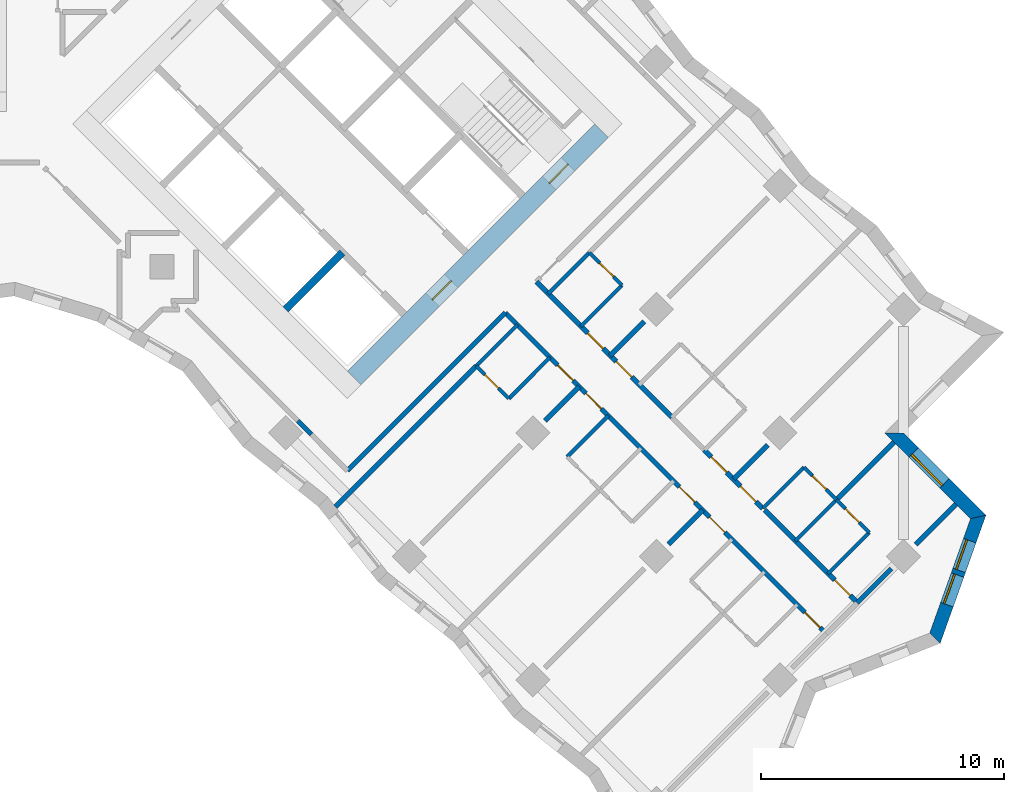
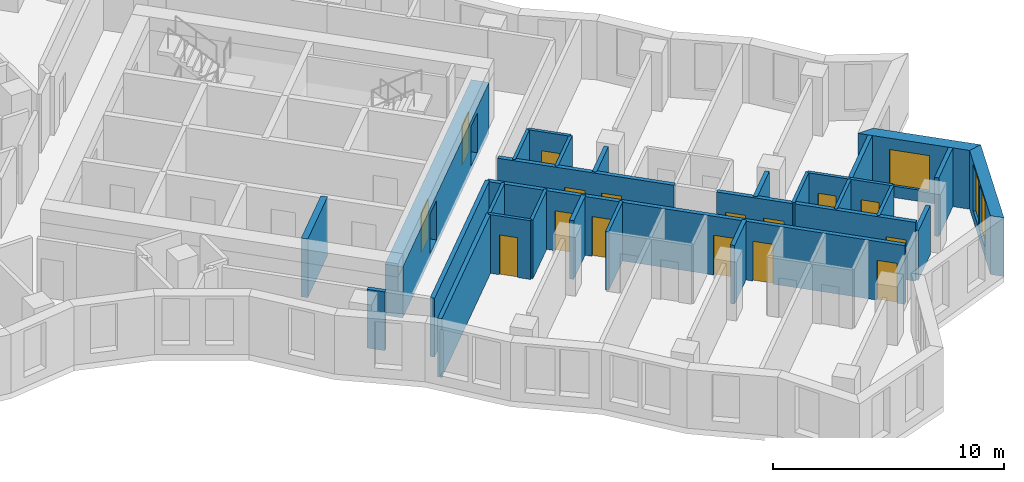
# One storey, part 9 of 13: 30 walls, 16 doors, 3 windows, 19 openings.
"""IFC4 building model written with IfcOpenShell, lengths in metres."""

from ifc_helpers import new_model, si_unit, direction, frame, frame_2d, origin, place, context, subcontext, project, spatial, polyline, rectangle, outline, extrude, material, layer, layer_set, type_object, element, fill, save


model = new_model("IFC4")

# Units and contexts
model_context = context("Model", 3, precision=1e-05, world=origin(), true_north=direction((0.0, 1.0)))
body_context = subcontext(model_context, "Body", "Model", "MODEL_VIEW")
ifc_project = project(units=[si_unit("LENGTHUNIT", "METRE"), si_unit("AREAUNIT", "SQUARE_METRE"), si_unit("VOLUMEUNIT", "CUBIC_METRE"), si_unit("PLANEANGLEUNIT", "RADIAN"), si_unit("MASSUNIT", "GRAM", prefix="KILO")], contexts=[model_context])

# Site, building, storey
site_placement = place(None, origin())
site = spatial("IfcSite", under=ifc_project, at=site_placement, CompositionType="ELEMENT")
building_placement = place(site_placement, origin())
building = spatial("IfcBuilding", under=site, at=building_placement, Name="Windrow Commons", CompositionType="ELEMENT")
storey_placement = place(building_placement, frame((0.0, 0.0, 98.2)))
storey = spatial("IfcBuildingStorey", under=building, at=storey_placement, Name="L26", CompositionType="ELEMENT", Elevation=98.2)

# Wall, openings, windows
ifc_material_1 = material(Name="Brick masonry, red clay brick", Category="masonry")
ifc_layer_1 = layer(ifc_material_1, 0.55)
ifc_layer_set_1 = layer_set([ifc_layer_1], Name="Brick facade wall 550")
wall_type_1 = type_object("IfcWallType", Name="Brick facade wall 550", PredefinedType="SOLIDWALL", material=ifc_layer_set_1)
wall_1_placement = place(storey_placement, frame((111.0412, 27.9008, 0.0), z_axis=(0.0, 0.0, 1.0), x_axis=(0.3360509292, 0.9418438156, 0.0)))
wall_1 = element("IfcWall", 1, at=wall_1_placement, inside=storey, type_object=wall_type_1, Name="Brick facade wall L26 4", PredefinedType="SOLIDWALL", context=body_context, shape_type="SweptSolid", body=[
    extrude(outline(polyline([(-0.1249, -0.275), (5.4779, -0.275), (5.13, 0.275), (0.1249, 0.275), (-0.1249, -0.275)])), origin(), (0.0, 0.0, 1.0), 3.1),
])
opening_1_placement = place(wall_1_placement, frame((1.4659, 0.0, 0.5)))
opening_1 = element("IfcOpeningElement", 2, at=opening_1_placement, cuts=wall_1, Name="Opening W1P", PredefinedType="OPENING", context=body_context, shape_type="SweptSolid", body=[
    extrude(rectangle(XDim=1.3, YDim=2.45, at=frame_2d((0.65, 1.225))), frame((0.0, 0.285, 0.0), z_axis=(0.0, -1.0, 0.0), x_axis=(1.0, 0.0, 0.0)), (0.0, 0.0, 1.0), 0.57),
])
opening_2_placement = place(wall_1_placement, frame((2.9659, 0.0, 0.5)))
opening_2 = element("IfcOpeningElement", 3, at=opening_2_placement, cuts=wall_1, Name="Opening W1P", PredefinedType="OPENING", context=body_context, shape_type="SweptSolid", body=[
    extrude(rectangle(XDim=1.3, YDim=2.45, at=frame_2d((0.65, 1.225))), frame((0.0, 0.285, 0.0), z_axis=(0.0, -1.0, 0.0), x_axis=(1.0, 0.0, 0.0)), (0.0, 0.0, 1.0), 0.57),
])
ifc_material_2 = material(Name="Clear float glass in anodised aluminium frame", Category="aluminium")
window_type_1 = type_object("IfcWindowType", Name="Window W1P pair 1300x2450", PartitioningType="SINGLE_PANEL", PredefinedType="WINDOW", material=ifc_material_2)
window_1_placement = place(opening_1_placement, origin())
window_1 = element("IfcWindow", 4, at=window_1_placement, inside=storey, type_object=window_type_1, Name="Window L26 4.1A", OverallHeight=2.45, OverallWidth=1.3, PartitioningType="SINGLE_PANEL", PredefinedType="WINDOW", context=body_context, shape_type="SweptSolid", body=[
    extrude(rectangle(XDim=1.3, YDim=2.45, at=frame_2d((0.65, 1.225))), frame((0.0, 0.155, 0.0), z_axis=(0.0, -1.0, 0.0), x_axis=(1.0, 0.0, 0.0)), (0.0, 0.0, 1.0), 0.06),
])
fill(opening_1, window_1)
window_2_placement = place(opening_2_placement, origin())
window_2 = element("IfcWindow", 5, at=window_2_placement, inside=storey, type_object=window_type_1, Name="Window L26 4.1B", OverallHeight=2.45, OverallWidth=1.3, PartitioningType="SINGLE_PANEL", PredefinedType="WINDOW", context=body_context, shape_type="SweptSolid", body=[
    extrude(rectangle(XDim=1.3, YDim=2.45, at=frame_2d((0.65, 1.225))), frame((0.0, 0.155, 0.0), z_axis=(0.0, -1.0, 0.0), x_axis=(1.0, 0.0, 0.0)), (0.0, 0.0, 1.0), 0.06),
])
fill(opening_2, window_2)

# Wall, opening, window
wall_2_placement = place(storey_placement, frame((112.8236, 32.8963, 0.0), z_axis=(0.0, 0.0, 1.0), x_axis=(-0.7071067812, 0.7071067812, 0.0)))
wall_2 = element("IfcWall", 6, at=wall_2_placement, inside=storey, type_object=wall_type_1, Name="Brick facade wall L26 5", PredefinedType="SOLIDWALL", context=body_context, shape_type="SweptSolid", body=[
    extrude(outline(polyline([(-0.174, -0.275), (4.626, -0.275), (5.176, 0.275), (0.174, 0.275), (-0.174, -0.275)])), origin(), (0.0, 0.0, 1.0), 3.1),
])
opening_3_placement = place(wall_2_placement, frame((1.9635, 0.0, 0.6)))
opening_3 = element("IfcOpeningElement", 7, at=opening_3_placement, cuts=wall_2, Name="Opening W1L", PredefinedType="OPENING", context=body_context, shape_type="SweptSolid", body=[
    extrude(rectangle(XDim=1.8, YDim=1.9, at=frame_2d((0.9, 0.95))), frame((0.0, 0.285, 0.0), z_axis=(0.0, -1.0, 0.0), x_axis=(1.0, 0.0, 0.0)), (0.0, 0.0, 1.0), 0.57),
])
ifc_material_3 = material(Name="Clear float glass in anodised aluminium frame", Category="aluminium")
window_type_2 = type_object("IfcWindowType", Name="Window W1L bedroom 1800x1900", PartitioningType="SINGLE_PANEL", PredefinedType="WINDOW", material=ifc_material_3)
window_3_placement = place(opening_3_placement, origin())
window_3 = element("IfcWindow", 8, at=window_3_placement, inside=storey, type_object=window_type_2, Name="Window L26 5.1", OverallHeight=1.9, OverallWidth=1.8, PartitioningType="SINGLE_PANEL", PredefinedType="WINDOW", context=body_context, shape_type="SweptSolid", body=[
    extrude(rectangle(XDim=1.8, YDim=1.9, at=frame_2d((0.9, 0.95))), frame((0.0, 0.155, 0.0), z_axis=(0.0, -1.0, 0.0), x_axis=(1.0, 0.0, 0.0)), (0.0, 0.0, 1.0), 0.06),
])
fill(opening_3, window_3)

# Wall, openings, doors
ifc_material_4 = material(Name="Blockwork partition", Category="masonry")
ifc_layer_2 = layer(ifc_material_4, 0.2)
ifc_layer_set_2 = layer_set([ifc_layer_2], Name="IW-CORRIDOR-200")
wall_type_2 = type_object("IfcWallType", Name="IW-CORRIDOR-200", PredefinedType="PARTITIONING", material=ifc_layer_set_2)
wall_3_placement = place(storey_placement, frame((93.3386, 41.3086, 0.0), z_axis=(0.0, 0.0, 1.0), x_axis=(0.7071067812, -0.7071067812, 0.0)))
wall_3 = element("IfcWall", 9, at=wall_3_placement, inside=storey, type_object=wall_type_2, Name="W-L26-W003", PredefinedType="PARTITIONING", context=body_context, shape_type="SweptSolid", body=[
    extrude(rectangle(XDim=18.7016, YDim=0.2, at=frame_2d((9.3508, 0.0))), origin(), (0.0, 0.0, 1.0), 3.1),
])
opening_4_placement = place(wall_3_placement, frame((3.0504, 0.0, 0.0)))
opening_4 = element("IfcOpeningElement", 10, at=opening_4_placement, cuts=wall_3, Name="Opening D109S", PredefinedType="OPENING", context=body_context, shape_type="SweptSolid", body=[
    extrude(rectangle(XDim=0.9, YDim=2.1, at=frame_2d((0.45, 1.05))), frame((0.0, 0.11, 0.0), z_axis=(0.0, -1.0, 0.0), x_axis=(1.0, 0.0, 0.0)), (0.0, 0.0, 1.0), 0.22),
])
opening_5_placement = place(wall_3_placement, frame((4.7004, 0.0, 0.0)))
opening_5 = element("IfcOpeningElement", 11, at=opening_5_placement, cuts=wall_3, Name="Opening D109S", PredefinedType="OPENING", context=body_context, shape_type="SweptSolid", body=[
    extrude(rectangle(XDim=0.9, YDim=2.1, at=frame_2d((0.45, 1.05))), frame((0.0, 0.11, 0.0), z_axis=(0.0, -1.0, 0.0), x_axis=(1.0, 0.0, 0.0)), (0.0, 0.0, 1.0), 0.22),
])
opening_6_placement = place(wall_3_placement, frame((10.1488, 0.0, 0.0)))
opening_6 = element("IfcOpeningElement", 12, at=opening_6_placement, cuts=wall_3, Name="Opening D109S", PredefinedType="OPENING", context=body_context, shape_type="SweptSolid", body=[
    extrude(rectangle(XDim=0.9, YDim=2.1, at=frame_2d((0.45, 1.05))), frame((0.0, 0.11, 0.0), z_axis=(0.0, -1.0, 0.0), x_axis=(1.0, 0.0, 0.0)), (0.0, 0.0, 1.0), 0.22),
])
opening_7_placement = place(wall_3_placement, frame((11.9004, 0.0, 0.0)))
opening_7 = element("IfcOpeningElement", 13, at=opening_7_placement, cuts=wall_3, Name="Opening D109S", PredefinedType="OPENING", context=body_context, shape_type="SweptSolid", body=[
    extrude(rectangle(XDim=0.9, YDim=2.1, at=frame_2d((0.45, 1.05))), frame((0.0, 0.11, 0.0), z_axis=(0.0, -1.0, 0.0), x_axis=(1.0, 0.0, 0.0)), (0.0, 0.0, 1.0), 0.22),
])
opening_8_placement = place(wall_3_placement, frame((17.4504, 0.0, 0.0)))
opening_8 = element("IfcOpeningElement", 14, at=opening_8_placement, cuts=wall_3, Name="Opening D109S", PredefinedType="OPENING", context=body_context, shape_type="SweptSolid", body=[
    extrude(rectangle(XDim=0.9, YDim=2.1, at=frame_2d((0.45, 1.05))), frame((0.0, 0.11, 0.0), z_axis=(0.0, -1.0, 0.0), x_axis=(1.0, 0.0, 0.0)), (0.0, 0.0, 1.0), 0.22),
])
ifc_material_5 = material(Name="Timber door leaf", Category="wood")
door_type_1 = type_object("IfcDoorType", Name="DT-BEDROOM-900", OperationType="SINGLE_SWING_LEFT", PredefinedType="DOOR", material=ifc_material_5)
door_1_placement = place(opening_4_placement, origin())
door_1 = element("IfcDoor", 15, at=door_1_placement, inside=storey, type_object=door_type_1, Name="D-L26-D057", OperationType="SINGLE_SWING_LEFT", OverallHeight=2.1, OverallWidth=0.9, PredefinedType="DOOR", context=body_context, shape_type="SweptSolid", body=[
    extrude(rectangle(XDim=0.9, YDim=2.1, at=frame_2d((0.45, 1.05))), frame((0.0, 0.025, 0.0), z_axis=(0.0, -1.0, 0.0), x_axis=(1.0, 0.0, 0.0)), (0.0, 0.0, 1.0), 0.05),
])
fill(opening_4, door_1)
door_2_placement = place(opening_5_placement, origin())
door_2 = element("IfcDoor", 16, at=door_2_placement, inside=storey, type_object=door_type_1, Name="D-L26-D059", OperationType="SINGLE_SWING_RIGHT", OverallHeight=2.1, OverallWidth=0.9, PredefinedType="DOOR", context=body_context, shape_type="SweptSolid", body=[
    extrude(rectangle(XDim=0.9, YDim=2.1, at=frame_2d((0.45, 1.05))), frame((0.0, 0.025, 0.0), z_axis=(0.0, -1.0, 0.0), x_axis=(1.0, 0.0, 0.0)), (0.0, 0.0, 1.0), 0.05),
])
fill(opening_5, door_2)
door_3_placement = place(opening_6_placement, origin())
door_3 = element("IfcDoor", 17, at=door_3_placement, inside=storey, type_object=door_type_1, Name="D-L26-D061", OperationType="SINGLE_SWING_LEFT", OverallHeight=2.1, OverallWidth=0.9, PredefinedType="DOOR", context=body_context, shape_type="SweptSolid", body=[
    extrude(rectangle(XDim=0.9, YDim=2.1, at=frame_2d((0.45, 1.05))), frame((0.0, 0.025, 0.0), z_axis=(0.0, -1.0, 0.0), x_axis=(1.0, 0.0, 0.0)), (0.0, 0.0, 1.0), 0.05),
])
fill(opening_6, door_3)
door_4_placement = place(opening_7_placement, origin())
door_4 = element("IfcDoor", 18, at=door_4_placement, inside=storey, type_object=door_type_1, Name="D-L26-D063", OperationType="SINGLE_SWING_RIGHT", OverallHeight=2.1, OverallWidth=0.9, PredefinedType="DOOR", context=body_context, shape_type="SweptSolid", body=[
    extrude(rectangle(XDim=0.9, YDim=2.1, at=frame_2d((0.45, 1.05))), frame((0.0, 0.025, 0.0), z_axis=(0.0, -1.0, 0.0), x_axis=(1.0, 0.0, 0.0)), (0.0, 0.0, 1.0), 0.05),
])
fill(opening_7, door_4)
door_5_placement = place(opening_8_placement, origin())
door_5 = element("IfcDoor", 19, at=door_5_placement, inside=storey, type_object=door_type_1, Name="D-L26-D065", OperationType="SINGLE_SWING_LEFT", OverallHeight=2.1, OverallWidth=0.9, PredefinedType="DOOR", context=body_context, shape_type="SweptSolid", body=[
    extrude(rectangle(XDim=0.9, YDim=2.1, at=frame_2d((0.45, 1.05))), frame((0.0, 0.025, 0.0), z_axis=(0.0, -1.0, 0.0), x_axis=(1.0, 0.0, 0.0)), (0.0, 0.0, 1.0), 0.05),
])
fill(opening_8, door_5)

# Wall
wall_4_placement = place(storey_placement, frame((86.8355, 34.8065, 0.0), z_axis=(0.0, 0.0, 1.0), x_axis=(0.7071067812, 0.7071067812, 0.0)))
element("IfcWall", 20, at=wall_4_placement, inside=storey, type_object=wall_type_2, Name="W-L26-W007", PredefinedType="PARTITIONING", context=body_context, shape_type="SweptSolid", body=[
    extrude(rectangle(XDim=9.2009, YDim=0.2, at=frame_2d((4.6005, 0.0))), origin(), (0.0, 0.0, 1.0), 3.1),
])

# Wall, openings, doors
wall_5_placement = place(storey_placement, frame((94.6195, 42.5875, 0.0), z_axis=(0.0, 0.0, 1.0), x_axis=(0.7071067812, -0.7071067812, 0.0)))
wall_5 = element("IfcWall", 21, at=wall_5_placement, inside=storey, type_object=wall_type_2, Name="W-L26-W018", PredefinedType="PARTITIONING", context=body_context, shape_type="SweptSolid", body=[
    extrude(rectangle(XDim=7.8998, YDim=0.2, at=frame_2d((3.9499, 0.0))), origin(), (0.0, 0.0, 1.0), 3.1),
])
opening_9_placement = place(wall_5_placement, frame((2.9976, 0.0, 0.0)))
opening_9 = element("IfcOpeningElement", 22, at=opening_9_placement, cuts=wall_5, Name="Opening D109S", PredefinedType="OPENING", context=body_context, shape_type="SweptSolid", body=[
    extrude(rectangle(XDim=0.9, YDim=2.1, at=frame_2d((0.45, 1.05))), frame((0.0, 0.11, 0.0), z_axis=(0.0, -1.0, 0.0), x_axis=(1.0, 0.0, 0.0)), (0.0, 0.0, 1.0), 0.22),
])
opening_10_placement = place(wall_5_placement, frame((4.649, 0.0, 0.0)))
opening_10 = element("IfcOpeningElement", 23, at=opening_10_placement, cuts=wall_5, Name="Opening D109S", PredefinedType="OPENING", context=body_context, shape_type="SweptSolid", body=[
    extrude(rectangle(XDim=0.9, YDim=2.1, at=frame_2d((0.45, 1.05))), frame((0.0, 0.11, 0.0), z_axis=(0.0, -1.0, 0.0), x_axis=(1.0, 0.0, 0.0)), (0.0, 0.0, 1.0), 0.22),
])
door_6_placement = place(opening_9_placement, origin())
door_6 = element("IfcDoor", 24, at=door_6_placement, inside=storey, type_object=door_type_1, Name="D-L26-D048", OperationType="SINGLE_SWING_RIGHT", OverallHeight=2.1, OverallWidth=0.9, PredefinedType="DOOR", context=body_context, shape_type="SweptSolid", body=[
    extrude(rectangle(XDim=0.9, YDim=2.1, at=frame_2d((0.45, 1.05))), frame((0.0, 0.025, 0.0), z_axis=(0.0, -1.0, 0.0), x_axis=(1.0, 0.0, 0.0)), (0.0, 0.0, 1.0), 0.05),
])
fill(opening_9, door_6)
door_7_placement = place(opening_10_placement, origin())
door_7 = element("IfcDoor", 25, at=door_7_placement, inside=storey, type_object=door_type_1, Name="D-L26-D050", OperationType="SINGLE_SWING_LEFT", OverallHeight=2.1, OverallWidth=0.9, PredefinedType="DOOR", context=body_context, shape_type="SweptSolid", body=[
    extrude(rectangle(XDim=0.9, YDim=2.1, at=frame_2d((0.45, 1.05))), frame((0.0, 0.025, 0.0), z_axis=(0.0, -1.0, 0.0), x_axis=(1.0, 0.0, 0.0)), (0.0, 0.0, 1.0), 0.05),
])
fill(opening_10, door_7)

# Wall, opening, door
wall_6_placement = place(storey_placement, frame((104.0235, 33.1835, 0.0), z_axis=(0.0, 0.0, 1.0), x_axis=(0.7071067812, -0.7071067812, 0.0)))
wall_6 = element("IfcWall", 26, at=wall_6_placement, inside=storey, type_object=wall_type_2, Name="W-L26-W041", PredefinedType="PARTITIONING", context=body_context, shape_type="SweptSolid", body=[
    extrude(rectangle(XDim=5.3995, YDim=0.2, at=frame_2d((2.6997, 0.0))), origin(), (0.0, 0.0, 1.0), 3.1),
])
opening_11_placement = place(wall_6_placement, frame((4.0797, 0.0, 0.0)))
opening_11 = element("IfcOpeningElement", 27, at=opening_11_placement, cuts=wall_6, Name="Opening D109S", PredefinedType="OPENING", context=body_context, shape_type="SweptSolid", body=[
    extrude(rectangle(XDim=0.9, YDim=2.1, at=frame_2d((0.45, 1.05))), frame((0.0, 0.11, 0.0), z_axis=(0.0, -1.0, 0.0), x_axis=(1.0, 0.0, 0.0)), (0.0, 0.0, 1.0), 0.22),
])
door_8_placement = place(opening_11_placement, origin())
door_8 = element("IfcDoor", 28, at=door_8_placement, inside=storey, type_object=door_type_1, Name="D-L26-D067", OperationType="SINGLE_SWING_RIGHT", OverallHeight=2.1, OverallWidth=0.9, PredefinedType="DOOR", context=body_context, shape_type="SweptSolid", body=[
    extrude(rectangle(XDim=0.9, YDim=2.1, at=frame_2d((0.45, 1.05))), frame((0.0, 0.025, 0.0), z_axis=(0.0, -1.0, 0.0), x_axis=(1.0, 0.0, 0.0)), (0.0, 0.0, 1.0), 0.05),
])
fill(opening_11, door_8)

# Wall, openings, doors
wall_7_placement = place(storey_placement, frame((101.5414, 35.6514, 0.0), z_axis=(0.0, 0.0, 1.0), x_axis=(0.7071067812, -0.7071067812, 0.0)))
wall_7 = element("IfcWall", 29, at=wall_7_placement, inside=storey, type_object=wall_type_2, Name="W-L26-W059", PredefinedType="PARTITIONING", context=body_context, shape_type="SweptSolid", body=[
    extrude(rectangle(XDim=3.3998, YDim=0.2, at=frame_2d((1.6999, 0.0))), origin(), (0.0, 0.0, 1.0), 3.1),
])
opening_12_placement = place(wall_7_placement, frame((0.3999, 0.0, 0.0)))
opening_12 = element("IfcOpeningElement", 30, at=opening_12_placement, cuts=wall_7, Name="Opening D109S", PredefinedType="OPENING", context=body_context, shape_type="SweptSolid", body=[
    extrude(rectangle(XDim=0.9, YDim=2.1, at=frame_2d((0.45, 1.05))), frame((0.0, 0.11, 0.0), z_axis=(0.0, -1.0, 0.0), x_axis=(1.0, 0.0, 0.0)), (0.0, 0.0, 1.0), 0.22),
])
opening_13_placement = place(wall_7_placement, frame((2.1049, 0.0, 0.0)))
opening_13 = element("IfcOpeningElement", 31, at=opening_13_placement, cuts=wall_7, Name="Opening D109S", PredefinedType="OPENING", context=body_context, shape_type="SweptSolid", body=[
    extrude(rectangle(XDim=0.9, YDim=2.1, at=frame_2d((0.45, 1.05))), frame((0.0, 0.11, 0.0), z_axis=(0.0, -1.0, 0.0), x_axis=(1.0, 0.0, 0.0)), (0.0, 0.0, 1.0), 0.22),
])
door_9_placement = place(opening_12_placement, origin())
door_9 = element("IfcDoor", 32, at=door_9_placement, inside=storey, type_object=door_type_1, Name="D-L26-D052", OperationType="SINGLE_SWING_RIGHT", OverallHeight=2.1, OverallWidth=0.9, PredefinedType="DOOR", context=body_context, shape_type="SweptSolid", body=[
    extrude(rectangle(XDim=0.9, YDim=2.1, at=frame_2d((0.45, 1.05))), frame((0.0, 0.025, 0.0), z_axis=(0.0, -1.0, 0.0), x_axis=(1.0, 0.0, 0.0)), (0.0, 0.0, 1.0), 0.05),
])
fill(opening_12, door_9)
door_10_placement = place(opening_13_placement, origin())
door_10 = element("IfcDoor", 33, at=door_10_placement, inside=storey, type_object=door_type_1, Name="D-L26-D054", OperationType="SINGLE_SWING_LEFT", OverallHeight=2.1, OverallWidth=0.9, PredefinedType="DOOR", context=body_context, shape_type="SweptSolid", body=[
    extrude(rectangle(XDim=0.9, YDim=2.1, at=frame_2d((0.45, 1.05))), frame((0.0, 0.025, 0.0), z_axis=(0.0, -1.0, 0.0), x_axis=(1.0, 0.0, 0.0)), (0.0, 0.0, 1.0), 0.05),
])
fill(opening_13, door_10)

# Walls
wall_8_placement = place(storey_placement, frame((84.7953, 36.8553, 0.0), z_axis=(0.0, 0.0, 1.0), x_axis=(0.7071067812, -0.7071067812, 0.0)))
element("IfcWall", 34, at=wall_8_placement, inside=storey, type_object=wall_type_2, Name="W-L26-W185", PredefinedType="PARTITIONING", context=body_context, shape_type="SweptSolid", body=[
    extrude(rectangle(XDim=0.792, YDim=0.2, at=frame_2d((0.396, 0.0))), origin(), (0.0, 0.0, 1.0), 3.1),
])
ifc_material_6 = material(Name="Blockwork partition", Category="masonry")
ifc_layer_3 = layer(ifc_material_6, 0.15)
ifc_layer_set_3 = layer_set([ifc_layer_3], Name="IW-ENSUITE-150")
wall_type_3 = type_object("IfcWallType", Name="IW-ENSUITE-150", PredefinedType="PARTITIONING", material=ifc_layer_set_3)
for number, where, z_axis, x_axis, name in (
    (35, (92.1428, 39.1172, 0.0), (0.0, 0.0, 1.0), (0.7075233388, 0.706689978, 0.0), "W-L26-W099"),
    (36, (93.4867, 37.7733, 0.0), (0.0, 0.0, 1.0), (0.706689978, 0.7075233388, 0.0), "W-L26-W100"),
    (37, (105.2898, 31.9102, 0.0), (0.0, 0.0, 1.0), (0.7075233388, 0.706689978, 0.0), "W-L26-W103"),
):
    element("IfcWall", number, at=place(storey_placement, frame(where, z_axis=z_axis, x_axis=x_axis)), inside=storey, type_object=wall_type_3, Name=name, PredefinedType="PARTITIONING", context=body_context, shape_type="SweptSolid", body=[
        extrude(rectangle(XDim=2.3999, YDim=0.15, at=frame_2d((1.2, 0.0))), origin(), (0.0, 0.0, 1.0), 3.1),
    ])
for number, where, z_axis, x_axis, name in (
    (38, (96.4529, 40.7471, 0.0), (0.0, 0.0, 1.0), (0.7071067812, 0.7071067812, 0.0), "W-L26-W104"),
    (39, (95.1094, 42.0906, 0.0), (0.0, 0.0, 1.0), (0.7071067812, 0.7071067812, 0.0), "W-L26-W105"),
    (40, (95.8871, 35.3729, 0.0), (0.0, 0.0, 1.0), (0.7071067812, 0.7071067812, 0.0), "W-L26-W106"),
    (41, (106.6353, 30.5647, 0.0), (0.0, 0.0, 1.0), (0.7071067812, 0.7071067812, 0.0), "W-L26-W111"),
    (42, (103.9493, 33.2527, 0.0), (0.0, 0.0, 1.0), (0.7071067812, 0.7071067812, 0.0), "W-L26-W112"),
):
    element("IfcWall", number, at=place(storey_placement, frame(where, z_axis=z_axis, x_axis=x_axis)), inside=storey, type_object=wall_type_3, Name=name, PredefinedType="PARTITIONING", context=body_context, shape_type="SweptSolid", body=[
        extrude(rectangle(XDim=2.3985, YDim=0.15, at=frame_2d((1.1992, 0.0))), origin(), (0.0, 0.0, 1.0), 3.1),
    ])

# Wall, opening, door
wall_9_placement = place(storey_placement, frame((96.8035, 43.7835, 0.0), z_axis=(0.0, 0.0, 1.0), x_axis=(0.7071067812, -0.7071067812, 0.0)))
wall_9 = element("IfcWall", 43, at=wall_9_placement, inside=storey, type_object=wall_type_3, Name="W-L26-W131", PredefinedType="PARTITIONING", context=body_context, shape_type="SweptSolid", body=[
    extrude(rectangle(XDim=1.9007, YDim=0.15, at=frame_2d((0.9504, 0.0))), origin(), (0.0, 0.0, 1.0), 3.1),
])
opening_14_placement = place(wall_9_placement, frame((0.6091, 0.0, 0.0)))
opening_14 = element("IfcOpeningElement", 44, at=opening_14_placement, cuts=wall_9, Name="Opening D208N", PredefinedType="OPENING", context=body_context, shape_type="SweptSolid", body=[
    extrude(rectangle(XDim=0.8, YDim=2.1, at=frame_2d((0.4, 1.05))), frame((0.0, 0.085, 0.0), z_axis=(0.0, -1.0, 0.0), x_axis=(1.0, 0.0, 0.0)), (0.0, 0.0, 1.0), 0.17),
])
ifc_material_7 = material(Name="Timber door leaf", Category="wood")
door_type_2 = type_object("IfcDoorType", Name="DT-ENSUITE-800", OperationType="SINGLE_SWING_LEFT", PredefinedType="DOOR", material=ifc_material_7)
door_11_placement = place(opening_14_placement, origin())
door_11 = element("IfcDoor", 45, at=door_11_placement, inside=storey, type_object=door_type_2, Name="D-L26-D049", OperationType="SINGLE_SWING_RIGHT", OverallHeight=2.1, OverallWidth=0.8, PredefinedType="DOOR", context=body_context, shape_type="SweptSolid", body=[
    extrude(rectangle(XDim=0.8, YDim=2.1, at=frame_2d((0.4, 1.05))), frame((0.0, 0.025, 0.0), z_axis=(0.0, -1.0, 0.0), x_axis=(1.0, 0.0, 0.0)), (0.0, 0.0, 1.0), 0.05),
])
fill(opening_14, door_11)

wall_10_placement = place(storey_placement, frame((105.6425, 34.9445, 0.0), z_axis=(0.0, 0.0, 1.0), x_axis=(0.7071067812, -0.7071067812, 0.0)))
wall_10 = element("IfcWall", 46, at=wall_10_placement, inside=storey, type_object=wall_type_3, Name="W-L26-W133", PredefinedType="PARTITIONING", context=body_context, shape_type="SweptSolid", body=[
    extrude(rectangle(XDim=1.9007, YDim=0.15, at=frame_2d((0.9504, 0.0))), origin(), (0.0, 0.0, 1.0), 3.1),
])
opening_15_placement = place(wall_10_placement, frame((0.4914, 0.0, 0.0)))
opening_15 = element("IfcOpeningElement", 47, at=opening_15_placement, cuts=wall_10, Name="Opening D208N", PredefinedType="OPENING", context=body_context, shape_type="SweptSolid", body=[
    extrude(rectangle(XDim=0.8, YDim=2.1, at=frame_2d((0.4, 1.05))), frame((0.0, 0.085, 0.0), z_axis=(0.0, -1.0, 0.0), x_axis=(1.0, 0.0, 0.0)), (0.0, 0.0, 1.0), 0.17),
])
door_12_placement = place(opening_15_placement, origin())
door_12 = element("IfcDoor", 48, at=door_12_placement, inside=storey, type_object=door_type_2, Name="D-L26-D055", OperationType="SINGLE_SWING_RIGHT", OverallHeight=2.1, OverallWidth=0.8, PredefinedType="DOOR", context=body_context, shape_type="SweptSolid", body=[
    extrude(rectangle(XDim=0.8, YDim=2.1, at=frame_2d((0.4, 1.05))), frame((0.0, 0.025, 0.0), z_axis=(0.0, -1.0, 0.0), x_axis=(1.0, 0.0, 0.0)), (0.0, 0.0, 1.0), 0.05),
])
fill(opening_15, door_12)

wall_11_placement = place(storey_placement, frame((92.1366, 39.1166, 0.0), z_axis=(0.0, 0.0, 1.0), x_axis=(0.7071067812, -0.7071067812, 0.0)))
wall_11 = element("IfcWall", 49, at=wall_11_placement, inside=storey, type_object=wall_type_3, Name="W-L26-W135", PredefinedType="PARTITIONING", context=body_context, shape_type="SweptSolid", body=[
    extrude(rectangle(XDim=1.9007, YDim=0.15, at=frame_2d((0.9504, 0.0))), origin(), (0.0, 0.0, 1.0), 3.1),
])
opening_16_placement = place(wall_11_placement, frame((0.5024, 0.0, 0.0)))
opening_16 = element("IfcOpeningElement", 50, at=opening_16_placement, cuts=wall_11, Name="Opening D208N", PredefinedType="OPENING", context=body_context, shape_type="SweptSolid", body=[
    extrude(rectangle(XDim=0.8, YDim=2.1, at=frame_2d((0.4, 1.05))), frame((0.0, 0.085, 0.0), z_axis=(0.0, -1.0, 0.0), x_axis=(1.0, 0.0, 0.0)), (0.0, 0.0, 1.0), 0.17),
])
door_13_placement = place(opening_16_placement, origin())
door_13 = element("IfcDoor", 51, at=door_13_placement, inside=storey, type_object=door_type_2, Name="D-L26-D058", OperationType="SINGLE_SWING_RIGHT", OverallHeight=2.1, OverallWidth=0.8, PredefinedType="DOOR", context=body_context, shape_type="SweptSolid", body=[
    extrude(rectangle(XDim=0.8, YDim=2.1, at=frame_2d((0.4, 1.05))), frame((0.0, 0.025, 0.0), z_axis=(0.0, -1.0, 0.0), x_axis=(1.0, 0.0, 0.0)), (0.0, 0.0, 1.0), 0.05),
])
fill(opening_16, door_13)

wall_12_placement = place(storey_placement, frame((106.9875, 33.6015, 0.0), z_axis=(0.0, 0.0, 1.0), x_axis=(0.7065800724, -0.7076330979, 0.0)))
wall_12 = element("IfcWall", 52, at=wall_12_placement, inside=storey, type_object=wall_type_3, Name="W-L26-W149", PredefinedType="PARTITIONING", context=body_context, shape_type="SweptSolid", body=[
    extrude(rectangle(XDim=1.8993, YDim=0.15, at=frame_2d((0.9496, 0.0))), origin(), (0.0, 0.0, 1.0), 3.1),
])
opening_17_placement = place(wall_12_placement, frame((0.5187, 0.0, 0.0)))
opening_17 = element("IfcOpeningElement", 53, at=opening_17_placement, cuts=wall_12, Name="Opening D208N", PredefinedType="OPENING", context=body_context, shape_type="SweptSolid", body=[
    extrude(rectangle(XDim=0.8, YDim=2.1, at=frame_2d((0.4, 1.05))), frame((0.0, 0.085, 0.0), z_axis=(0.0, -1.0, 0.0), x_axis=(1.0, 0.0, 0.0)), (0.0, 0.0, 1.0), 0.17),
])
door_14_placement = place(opening_17_placement, origin())
door_14 = element("IfcDoor", 54, at=door_14_placement, inside=storey, type_object=door_type_2, Name="D-L26-D068", OperationType="SINGLE_SWING_RIGHT", OverallHeight=2.1, OverallWidth=0.8, PredefinedType="DOOR", context=body_context, shape_type="SweptSolid", body=[
    extrude(rectangle(XDim=0.8, YDim=2.1, at=frame_2d((0.4, 1.05))), frame((0.0, 0.025, 0.0), z_axis=(0.0, -1.0, 0.0), x_axis=(1.0, 0.0, 0.0)), (0.0, 0.0, 1.0), 0.05),
])
fill(opening_17, door_14)

# Walls
ifc_material_8 = material(Name="Blockwork partition", Category="masonry")
ifc_layer_4 = layer(ifc_material_8, 0.2)
ifc_layer_set_4 = layer_set([ifc_layer_4], Name="IW-PARTY-200")
wall_type_4 = type_object("IfcWallType", Name="IW-PARTY-200", PredefinedType="PARTITIONING", material=ifc_layer_set_4)
wall_13_placement = place(storey_placement, frame((86.3408, 33.3146, 0.0), z_axis=(0.0, 0.0, 1.0), x_axis=(0.7069849041, 0.7072286373, 0.0)))
element("IfcWall", 55, at=wall_13_placement, inside=storey, type_object=wall_type_4, Name="W-L26-W015", PredefinedType="PARTITIONING", context=body_context, shape_type="SweptSolid", body=[
    extrude(rectangle(XDim=8.2057, YDim=0.2, at=frame_2d((4.1029, 0.0))), origin(), (0.0, 0.0, 1.0), 3.1),
])
wall_14_placement = place(storey_placement, frame((106.9888, 33.6052, 0.0), z_axis=(0.0, 0.0, 1.0), x_axis=(0.7071067812, 0.7071067812, 0.0)))
element("IfcWall", 56, at=wall_14_placement, inside=storey, type_object=wall_type_4, Name="W-L26-W060", PredefinedType="PARTITIONING", context=body_context, shape_type="SweptSolid", body=[
    extrude(rectangle(XDim=3.3496, YDim=0.2, at=frame_2d((1.6748, 0.0))), origin(), (0.0, 0.0, 1.0), 3.1),
])
wall_15_placement = place(storey_placement, frame((110.2515, 31.7666, 0.0), z_axis=(0.0, 0.0, 1.0), x_axis=(0.7066584143, 0.7075548639, 0.0)))
element("IfcWall", 57, at=wall_15_placement, inside=storey, type_object=wall_type_4, Name="W-L26-W115", PredefinedType="PARTITIONING", context=body_context, shape_type="SweptSolid", body=[
    extrude(rectangle(XDim=2.3426, YDim=0.2, at=frame_2d((1.1713, 0.0))), origin(), (0.0, 0.0, 1.0), 3.1),
])
wall_16_placement = place(storey_placement, frame((100.0632, 31.7708, 0.0), z_axis=(0.0, 0.0, 1.0), x_axis=(0.7071067812, 0.7071067812, 0.0)))
element("IfcWall", 58, at=wall_16_placement, inside=storey, type_object=wall_type_4, Name="W-L26-W124", PredefinedType="PARTITIONING", context=body_context, shape_type="SweptSolid", body=[
    extrude(rectangle(XDim=1.994, YDim=0.2, at=frame_2d((0.997, 0.0))), origin(), (0.0, 0.0, 1.0), 3.1),
])
wall_17_placement = place(storey_placement, frame((107.8374, 29.3626, 0.0), z_axis=(0.0, 0.0, 1.0), x_axis=(0.7071067812, 0.7071067812, 0.0)))
element("IfcWall", 59, at=wall_17_placement, inside=storey, type_object=wall_type_4, Name="W-L26-W125", PredefinedType="PARTITIONING", context=body_context, shape_type="SweptSolid", body=[
    extrude(rectangle(XDim=1.994, YDim=0.2, at=frame_2d((0.997, 0.0))), origin(), (0.0, 0.0, 1.0), 2.6),
])
for number, where, z_axis, x_axis, name in (
    (60, (97.655, 39.545, 0.0), (0.0, 0.0, 1.0), (0.7071067812, 0.7071067812, 0.0), "W-L26-W126"),
    (61, (94.972, 36.862, 0.0), (0.0, 0.0, 1.0), (0.7071067812, 0.7071067812, 0.0), "W-L26-W128"),
):
    element("IfcWall", number, at=place(storey_placement, frame(where, z_axis=z_axis, x_axis=x_axis)), inside=storey, type_object=wall_type_4, Name=name, PredefinedType="PARTITIONING", context=body_context, shape_type="SweptSolid", body=[
        extrude(rectangle(XDim=1.994, YDim=0.2, at=frame_2d((0.997, 0.0))), origin(), (0.0, 0.0, 1.0), 3.1),
    ])
wall_18_placement = place(storey_placement, frame((102.7472, 34.4548, 0.0), z_axis=(0.0, 0.0, 1.0), x_axis=(0.7071067812, 0.7071067812, 0.0)))
element("IfcWall", 62, at=wall_18_placement, inside=storey, type_object=wall_type_4, Name="W-L26-W129", PredefinedType="PARTITIONING", context=body_context, shape_type="SweptSolid", body=[
    extrude(rectangle(XDim=1.9912, YDim=0.2, at=frame_2d((0.9956, 0.0))), origin(), (0.0, 0.0, 1.0), 3.1),
])

# Wall, openings, doors
ifc_material_9 = material(Name="Concrete C50/60", Category="concrete")
ifc_layer_5 = layer(ifc_material_9, 0.8)
ifc_layer_set_5 = layer_set([ifc_layer_5], Name="RC CORE WALL 800 C50/60")
wall_type_5 = type_object("IfcWallType", Name="RC CORE WALL 800 C50/60", PredefinedType="SHEAR", material=ifc_layer_set_5)
wall_19_placement = place(storey_placement, frame((87.1196, 38.6246, -0.3), z_axis=(0.0, 0.0, 1.0), x_axis=(0.7071067812, 0.7071067812, 0.0)))
wall_19 = element("IfcWall", 63, at=wall_19_placement, inside=storey, type_object=wall_type_5, Name="Core B wall outer-E", PredefinedType="SHEAR", context=body_context, shape_type="SweptSolid", body=[
    extrude(rectangle(XDim=14.3999, YDim=0.8, at=frame_2d((7.2, 0.0))), origin(), (0.0, 0.0, 1.0), 2.7),
])
opening_18_placement = place(wall_19_placement, frame((4.55, 0.0, 0.3)))
opening_18 = element("IfcOpeningElement", 64, at=opening_18_placement, cuts=wall_19, Name="Opening D6", PredefinedType="OPENING", context=body_context, shape_type="SweptSolid", body=[
    extrude(rectangle(XDim=1.1, YDim=2.1, at=frame_2d((0.55, 1.05))), frame((0.0, 0.41, 0.0), z_axis=(0.0, -1.0, 0.0), x_axis=(1.0, 0.0, 0.0)), (0.0, 0.0, 1.0), 0.82),
])
opening_19_placement = place(wall_19_placement, frame((11.35, 0.0, 0.3)))
opening_19 = element("IfcOpeningElement", 65, at=opening_19_placement, cuts=wall_19, Name="Opening D7", PredefinedType="OPENING", context=body_context, shape_type="SweptSolid", body=[
    extrude(rectangle(XDim=1.1, YDim=2.1, at=frame_2d((0.55, 1.05))), frame((0.0, 0.41, 0.0), z_axis=(0.0, -1.0, 0.0), x_axis=(1.0, 0.0, 0.0)), (0.0, 0.0, 1.0), 0.82),
])
ifc_material_10 = material(Name="Steel fire door leaf", Category="steel")
door_type_3 = type_object("IfcDoorType", Name="Core lobby door 1100", OperationType="SINGLE_SWING_LEFT", PredefinedType="DOOR", material=ifc_material_10)
door_15_placement = place(opening_18_placement, origin())
door_15 = element("IfcDoor", 66, at=door_15_placement, inside=storey, type_object=door_type_3, Name="Lift lobby door", OperationType="DOUBLE_DOOR_SINGLE_SWING", OverallHeight=2.1, OverallWidth=1.1, PredefinedType="DOOR", context=body_context, shape_type="SweptSolid", body=[
    extrude(rectangle(XDim=1.1, YDim=2.1, at=frame_2d((0.55, 1.05))), frame((0.0, 0.025, 0.0), z_axis=(0.0, -1.0, 0.0), x_axis=(1.0, 0.0, 0.0)), (0.0, 0.0, 1.0), 0.05),
])
fill(opening_18, door_15)
ifc_material_11 = material(Name="Steel fire door leaf", Category="steel")
door_type_4 = type_object("IfcDoorType", Name="Stair door 1100", OperationType="SINGLE_SWING_LEFT", PredefinedType="DOOR", material=ifc_material_11)
door_16_placement = place(opening_19_placement, origin())
door_16 = element("IfcDoor", 67, at=door_16_placement, inside=storey, type_object=door_type_4, Name="Stair door", OperationType="SINGLE_SWING_RIGHT", OverallHeight=2.1, OverallWidth=1.1, PredefinedType="DOOR", context=body_context, shape_type="SweptSolid", body=[
    extrude(rectangle(XDim=1.1, YDim=2.1, at=frame_2d((0.55, 1.05))), frame((0.0, 0.025, 0.0), z_axis=(0.0, -1.0, 0.0), x_axis=(1.0, 0.0, 0.0)), (0.0, 0.0, 1.0), 0.05),
])
fill(opening_19, door_16)

# Wall
ifc_material_12 = material(Name="Concrete C50/60", Category="concrete")
ifc_layer_6 = layer(ifc_material_12, 0.3)
ifc_layer_set_6 = layer_set([ifc_layer_6], Name="RC SHAFT WALL 300 C50/60")
wall_type_6 = type_object("IfcWallType", Name="RC SHAFT WALL 300 C50/60", PredefinedType="SOLIDWALL", material=ifc_layer_set_6)
wall_20_placement = place(storey_placement, frame((84.2912, 41.453, 0.0), z_axis=(0.0, 0.0, 1.0), x_axis=(0.7071067812, 0.7071067812, 0.0)))
element("IfcWall", 68, at=wall_20_placement, inside=storey, type_object=wall_type_6, Name="Core B wall shaft-S3", PredefinedType="SOLIDWALL", context=body_context, shape_type="SweptSolid", body=[
    extrude(rectangle(XDim=3.2999, YDim=0.3, at=frame_2d((1.65, 0.0))), origin(), (0.0, 0.0, 1.0), 3.1),
])

save(model, "model.ifc")
